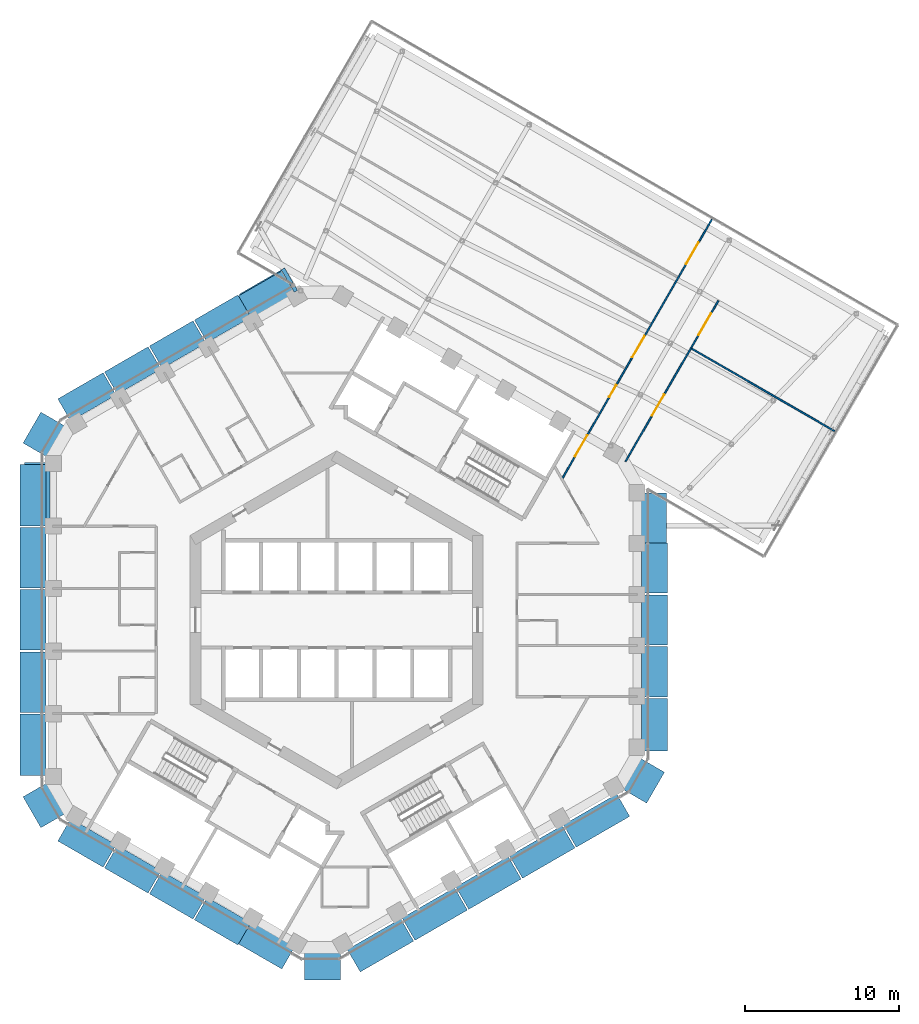
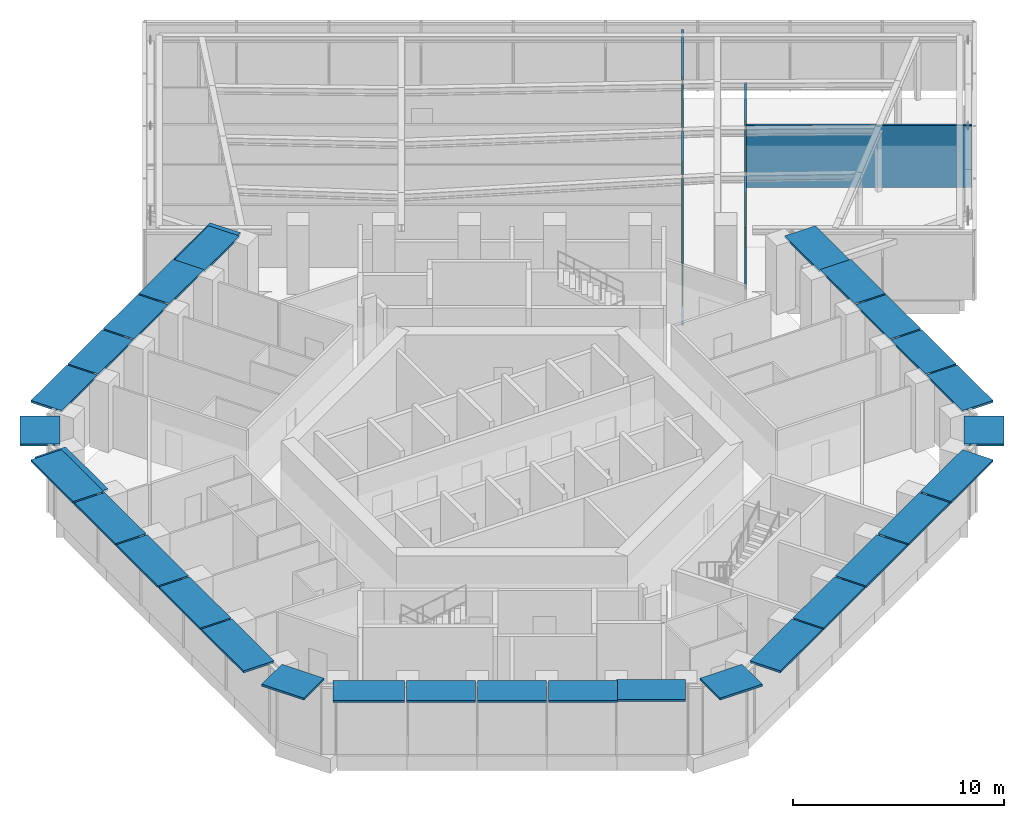
# One storey, part 22 of 28: 31 discrete accessories, 6 doors, 3 walls, 6 openings.
"""IFC4 building model written with IfcOpenShell, lengths in metres."""

from ifc_helpers import new_model, si_unit, direction, frame, frame_2d, origin, origin_2d, place, context, subcontext, project, spatial, polyline, rectangle, outline, extrude, material, layer, layer_set, type_object, element, fill, save


model = new_model("IFC4")

# Units and contexts
model_context = context("Model", 3, precision=1e-05, world=origin(), true_north=direction((0.0, 1.0)))
body_context = subcontext(model_context, "Body", "Model", "MODEL_VIEW")
ifc_project = project(units=[si_unit("LENGTHUNIT", "METRE"), si_unit("AREAUNIT", "SQUARE_METRE"), si_unit("VOLUMEUNIT", "CUBIC_METRE"), si_unit("PLANEANGLEUNIT", "RADIAN"), si_unit("MASSUNIT", "GRAM", prefix="KILO")], contexts=[model_context])

# Site, building, storey
site_placement = place(None, origin())
site = spatial("IfcSite", under=ifc_project, at=site_placement, CompositionType="ELEMENT")
building_placement = place(site_placement, origin())
building = spatial("IfcBuilding", under=site, at=building_placement, Name="Ayvan Gate Tower", CompositionType="ELEMENT")
storey_placement = place(building_placement, frame((0.0, 0.0, 143.89990234375)))
storey = spatial("IfcBuildingStorey", under=building, at=storey_placement, Name="L38", CompositionType="ELEMENT", Elevation=143.89990234375)

# Wall, openings, doors
ifc_material_1 = material(Name="Plasterboard on steel stud", Category="steel")
ifc_layer_1 = layer(ifc_material_1, 0.10009765625)
ifc_layer_set_1 = layer_set([ifc_layer_1], Name="Plasterboard on steel stud")
wall_type = type_object("IfcWallType", Name="WT-PART-100", PredefinedType="PARTITIONING", material=ifc_layer_set_1)
wall_1_placement = place(storey_placement, frame((14.651123046875, 9.19970703125, 0.0), z_axis=(0.0, 0.0, 1.0), x_axis=(0.500009799479, 0.866019745978, 0.0)))
wall_1 = element("IfcWall", 1, at=wall_1_placement, inside=storey, type_object=wall_type, Name="IW-L38-111", PredefinedType="PARTITIONING", context=body_context, shape_type="SweptSolid", body=[
    extrude(rectangle(XDim=19.3671875, YDim=0.10009765625, at=frame_2d((9.68359375, 0.0))), origin(), (0.0, 0.0, 1.0), 3.60009765625),
])
opening_1_placement = place(wall_1_placement, frame((16.036376953125, 0.0, 0.0)))
opening_1 = element("IfcOpeningElement", 2, at=opening_1_placement, cuts=wall_1, Name="Opening L38-D44", PredefinedType="OPENING", context=body_context, shape_type="SweptSolid", body=[
    extrude(rectangle(XDim=1.60009765625, YDim=2.10009765625, at=frame_2d((0.800048828125, 1.050048828125))), frame((0.0, 0.06005859375, 0.0), z_axis=(0.0, -1.0, 0.0), x_axis=(1.0, 0.0, 0.0)), (0.0, 0.0, 1.0), 0.1201171875),
])
opening_2_placement = place(wall_1_placement, frame((1.60986328125, 0.0, 0.0)))
opening_2 = element("IfcOpeningElement", 3, at=opening_2_placement, cuts=wall_1, Name="Opening L38-D45", PredefinedType="OPENING", context=body_context, shape_type="SweptSolid", body=[
    extrude(rectangle(XDim=1.60009765625, YDim=2.10009765625, at=frame_2d((0.800048828125, 1.050048828125))), frame((0.0, 0.06005859375, 0.0), z_axis=(0.0, -1.0, 0.0), x_axis=(1.0, 0.0, 0.0)), (0.0, 0.0, 1.0), 0.1201171875),
])
opening_3_placement = place(wall_1_placement, frame((6.0673828125, 0.0, 0.0)))
opening_3 = element("IfcOpeningElement", 4, at=opening_3_placement, cuts=wall_1, Name="Opening L38-D46", PredefinedType="OPENING", context=body_context, shape_type="SweptSolid", body=[
    extrude(rectangle(XDim=0.89990234375, YDim=2.10009765625, at=frame_2d((0.449951171875, 1.050048828125))), frame((0.0, 0.06005859375, 0.0), z_axis=(0.0, -1.0, 0.0), x_axis=(1.0, 0.0, 0.0)), (0.0, 0.0, 1.0), 0.1201171875),
])
opening_4_placement = place(wall_1_placement, frame((9.052734375, 0.0, 0.0)))
opening_4 = element("IfcOpeningElement", 5, at=opening_4_placement, cuts=wall_1, Name="Opening L38-D47", PredefinedType="OPENING", context=body_context, shape_type="SweptSolid", body=[
    extrude(rectangle(XDim=1.60009765625, YDim=2.10009765625, at=frame_2d((0.800048828125, 1.050048828125))), frame((0.0, 0.06005859375, 0.0), z_axis=(0.0, -1.0, 0.0), x_axis=(1.0, 0.0, 0.0)), (0.0, 0.0, 1.0), 0.1201171875),
])
ifc_material_2 = material(Name="Timber door leaf", Category="wood")
door_type_1 = type_object("IfcDoorType", Name="DT-1600", OperationType="NOTDEFINED", PredefinedType="DOOR", material=ifc_material_2)
door_1_placement = place(opening_1_placement, origin())
door_1 = element("IfcDoor", 6, at=door_1_placement, inside=storey, type_object=door_type_1, Name="ID-L38-044", OperationType="SINGLE_SWING_RIGHT", OverallHeight=2.10009765625, OverallWidth=1.60009765625, PredefinedType="DOOR", context=body_context, shape_type="SweptSolid", body=[
    extrude(rectangle(XDim=1.60009765625, YDim=2.10009765625, at=frame_2d((0.800048828125, 1.050048828125))), frame((0.0, 0.02490234375, 0.0), z_axis=(0.0, -1.0, 0.0), x_axis=(1.0, 0.0, 0.0)), (0.0, 0.0, 1.0), 0.050048828125),
])
fill(opening_1, door_1)
door_2_placement = place(opening_2_placement, origin())
door_2 = element("IfcDoor", 7, at=door_2_placement, inside=storey, type_object=door_type_1, Name="ID-L38-045", OperationType="SINGLE_SWING_LEFT", OverallHeight=2.10009765625, OverallWidth=1.60009765625, PredefinedType="DOOR", context=body_context, shape_type="SweptSolid", body=[
    extrude(rectangle(XDim=1.60009765625, YDim=2.10009765625, at=frame_2d((0.800048828125, 1.050048828125))), frame((0.0, 0.02490234375, 0.0), z_axis=(0.0, -1.0, 0.0), x_axis=(1.0, 0.0, 0.0)), (0.0, 0.0, 1.0), 0.050048828125),
])
fill(opening_2, door_2)
door_3_placement = place(opening_4_placement, origin())
door_3 = element("IfcDoor", 8, at=door_3_placement, inside=storey, type_object=door_type_1, Name="ID-L38-047", OperationType="SINGLE_SWING_LEFT", OverallHeight=2.10009765625, OverallWidth=1.60009765625, PredefinedType="DOOR", context=body_context, shape_type="SweptSolid", body=[
    extrude(rectangle(XDim=1.60009765625, YDim=2.10009765625, at=frame_2d((0.800048828125, 1.050048828125))), frame((0.0, 0.02490234375, 0.0), z_axis=(0.0, -1.0, 0.0), x_axis=(1.0, 0.0, 0.0)), (0.0, 0.0, 1.0), 0.050048828125),
])
fill(opening_4, door_3)
door_type_2 = type_object("IfcDoorType", Name="DT-900", OperationType="NOTDEFINED", PredefinedType="DOOR", material=ifc_material_2)
door_4_placement = place(opening_3_placement, origin())
door_4 = element("IfcDoor", 9, at=door_4_placement, inside=storey, type_object=door_type_2, Name="ID-L38-046", OperationType="SINGLE_SWING_RIGHT", OverallHeight=2.10009765625, OverallWidth=0.89990234375, PredefinedType="DOOR", context=body_context, shape_type="SweptSolid", body=[
    extrude(rectangle(XDim=0.89990234375, YDim=2.10009765625, at=frame_2d((0.449951171875, 1.050048828125))), frame((0.0, 0.02490234375, 0.0), z_axis=(0.0, -1.0, 0.0), x_axis=(1.0, 0.0, 0.0)), (0.0, 0.0, 1.0), 0.050048828125),
])
fill(opening_3, door_4)

# Wall
wall_2_placement = place(storey_placement, frame((23.025390625, 17.60400390625, 0.0), z_axis=(0.0, 0.0, 1.0), x_axis=(0.866024593443, -0.500001403549, 0.0)))
element("IfcWall", 10, at=wall_2_placement, inside=storey, type_object=wall_type, Name="IW-L38-116", PredefinedType="PARTITIONING", context=body_context, shape_type="SweptSolid", body=[
    extrude(rectangle(XDim=10.70751953125, YDim=0.10009765625, at=frame_2d((5.353759765625, 0.0))), origin(), (0.0, 0.0, 1.0), 3.60009765625),
])

# Wall, openings, doors
wall_3_placement = place(storey_placement, frame((18.739990234375, 10.28173828125, 0.0), z_axis=(0.0, 0.0, 1.0), x_axis=(0.50000797982, 0.866020796584, 0.0)))
wall_3 = element("IfcWall", 11, at=wall_3_placement, inside=storey, type_object=wall_type, Name="IW-L38-117", PredefinedType="PARTITIONING", context=body_context, shape_type="SweptSolid", body=[
    extrude(rectangle(XDim=12.039794921875, YDim=0.10009765625, at=frame_2d((6.02001953125, 0.0))), origin(), (0.0, 0.0, 1.0), 3.60009765625),
])
opening_5_placement = place(wall_3_placement, frame((3.427001953125, 0.0, 0.0)))
opening_5 = element("IfcOpeningElement", 12, at=opening_5_placement, cuts=wall_3, Name="Opening L38-D49", PredefinedType="OPENING", context=body_context, shape_type="SweptSolid", body=[
    extrude(rectangle(XDim=1.60009765625, YDim=2.10009765625, at=frame_2d((0.800048828125, 1.050048828125))), frame((0.0, 0.06005859375, 0.0), z_axis=(0.0, -1.0, 0.0), x_axis=(1.0, 0.0, 0.0)), (0.0, 0.0, 1.0), 0.1201171875),
])
opening_6_placement = place(wall_3_placement, frame((9.476806640625, 0.0, 0.0)))
opening_6 = element("IfcOpeningElement", 13, at=opening_6_placement, cuts=wall_3, Name="Opening L38-D50", PredefinedType="OPENING", context=body_context, shape_type="SweptSolid", body=[
    extrude(rectangle(XDim=1.60009765625, YDim=2.10009765625, at=frame_2d((0.800048828125, 1.050048828125))), frame((0.0, 0.06005859375, 0.0), z_axis=(0.0, -1.0, 0.0), x_axis=(1.0, 0.0, 0.0)), (0.0, 0.0, 1.0), 0.1201171875),
])
door_5_placement = place(opening_5_placement, origin())
door_5 = element("IfcDoor", 14, at=door_5_placement, inside=storey, type_object=door_type_1, Name="ID-L38-049", OperationType="SINGLE_SWING_LEFT", OverallHeight=2.10009765625, OverallWidth=1.60009765625, PredefinedType="DOOR", context=body_context, shape_type="SweptSolid", body=[
    extrude(rectangle(XDim=1.60009765625, YDim=2.10009765625, at=frame_2d((0.800048828125, 1.050048828125))), frame((0.0, 0.02490234375, 0.0), z_axis=(0.0, -1.0, 0.0), x_axis=(1.0, 0.0, 0.0)), (0.0, 0.0, 1.0), 0.050048828125),
])
fill(opening_5, door_5)
door_6_placement = place(opening_6_placement, origin())
door_6 = element("IfcDoor", 15, at=door_6_placement, inside=storey, type_object=door_type_1, Name="ID-L38-050", OperationType="SINGLE_SWING_RIGHT", OverallHeight=2.10009765625, OverallWidth=1.60009765625, PredefinedType="DOOR", context=body_context, shape_type="SweptSolid", body=[
    extrude(rectangle(XDim=1.60009765625, YDim=2.10009765625, at=frame_2d((0.800048828125, 1.050048828125))), frame((0.0, 0.02490234375, 0.0), z_axis=(0.0, -1.0, 0.0), x_axis=(1.0, 0.0, 0.0)), (0.0, 0.0, 1.0), 0.050048828125),
])
fill(opening_6, door_6)

# Discrete accessories
ifc_material_3 = material(Name="Stainless steel 316", Category="steel")
ifc_layer_2 = layer(ifc_material_3, 0.1201171875)
ifc_layer_set_2 = layer_set([ifc_layer_2], Name="Stainless steel 316")
discrete_accessory_type = type_object("IfcDiscreteAccessoryType", Name="Fin carrier bracket", PredefinedType="BRACKET", material=ifc_layer_set_2)
discrete_accessory_1_placement = place(storey_placement, frame((-19.702392578125, -8.092041015625, 3.880126953125), z_axis=(0.0, 0.0, 1.0), x_axis=(0.0, -1.0, 0.0)))
element("IfcDiscreteAccessory", 16, at=discrete_accessory_1_placement, inside=storey, type_object=discrete_accessory_type, Name="Fin carrier 64", PredefinedType="BRACKET", context=body_context, shape_type="SweptSolid", body=[
    extrude(rectangle(XDim=4.00048828125, YDim=1.677001953125, at=origin_2d()), origin(), (0.0, 0.0, 1.0), 0.1201171875),
])
for number, where, z_axis, x_axis, name in (
    (17, (-19.702392578125, -4.02783203125, 3.880126953125), (0.0, 0.0, 1.0), (0.0, -1.0, 0.0), "Fin carrier 69"),
    (18, (-19.702392578125, 0.000244140625, 3.880126953125), (0.0, 0.0, 1.0), (0.0, -1.0, 0.0), "Fin carrier 74"),
    (19, (-19.702392578125, 4.0283203125, 3.880126953125), (0.0, 0.0, 1.0), (0.0, -1.0, 0.0), "Fin carrier 79"),
):
    element("IfcDiscreteAccessory", number, at=place(storey_placement, frame(where, z_axis=z_axis, x_axis=x_axis)), inside=storey, type_object=discrete_accessory_type, Name=name, PredefinedType="BRACKET", context=body_context, shape_type="SweptSolid", body=[
        extrude(rectangle(XDim=3.927978515625, YDim=1.677001953125, at=origin_2d()), origin(), (0.0, 0.0, 1.0), 0.1201171875),
    ])
discrete_accessory_2_placement = place(storey_placement, frame((-19.702392578125, 8.09228515625, 3.880126953125), z_axis=(0.0, 0.0, 1.0), x_axis=(0.0, -1.0, 0.0)))
element("IfcDiscreteAccessory", 20, at=discrete_accessory_2_placement, inside=storey, type_object=discrete_accessory_type, Name="Fin carrier 84", PredefinedType="BRACKET", context=body_context, shape_type="SweptSolid", body=[
    extrude(rectangle(XDim=4.0, YDim=1.677001953125, at=origin_2d()), origin(), (0.0, 0.0, 1.0), 0.1201171875),
])
for number, where, z_axis, x_axis, name in (
    (21, (-18.93994140625, -11.999267578125, 3.880126953125), (0.0, 0.0, 1.0), (0.5, -0.866025403784, 0.0), "Fin carrier 99"),
    (22, (-18.93994140625, 11.999267578125, 3.880126953125), (0.0, 0.0, 1.0), (-0.5, -0.866025403784, 0.0), "Fin carrier 123"),
):
    element("IfcDiscreteAccessory", number, at=place(storey_placement, frame(where, z_axis=z_axis, x_axis=x_axis)), inside=storey, type_object=discrete_accessory_type, Name=name, PredefinedType="BRACKET", context=body_context, shape_type="SweptSolid", body=[
        extrude(rectangle(XDim=2.314453125, YDim=1.908203125, at=origin_2d()), origin(), (0.0, 0.0, 1.0), 0.1201171875),
    ])
discrete_accessory_3_placement = place(storey_placement, frame((-16.1982421875, -14.46240234375, 3.880126953125), z_axis=(0.0, 0.0, 1.0), x_axis=(0.866025403784, -0.5, 0.0)))
element("IfcDiscreteAccessory", 23, at=discrete_accessory_3_placement, inside=storey, type_object=discrete_accessory_type, Name="Fin carrier 213", PredefinedType="BRACKET", context=body_context, shape_type="SweptSolid", body=[
    extrude(rectangle(XDim=3.39794921875, YDim=1.677001953125, at=origin_2d()), origin(), (0.0, 0.0, 1.0), 0.1201171875),
])
discrete_accessory_4_placement = place(storey_placement, frame((-16.198486328125, 14.46240234375, 3.880126953125), z_axis=(0.0, 0.0, 1.0), x_axis=(-0.866025403784, -0.5, 0.0)))
element("IfcDiscreteAccessory", 24, at=discrete_accessory_4_placement, inside=storey, type_object=discrete_accessory_type, Name="Fin carrier 218", PredefinedType="BRACKET", context=body_context, shape_type="SweptSolid", body=[
    extrude(rectangle(XDim=3.397705078125, YDim=1.677001953125, at=origin_2d()), origin(), (0.0, 0.0, 1.0), 0.1201171875),
])
for number, where, z_axis, x_axis, name in (
    (25, (-13.2265625, -16.17822265625, 3.880126953125), (0.0, 0.0, 1.0), (0.866025403784, -0.5, 0.0), "Fin carrier 270"),
    (26, (-13.226806640625, 16.17822265625, 3.880126953125), (0.0, 0.0, 1.0), (-0.866025403784, -0.5, 0.0), "Fin carrier 280"),
):
    element("IfcDiscreteAccessory", number, at=place(storey_placement, frame(where, z_axis=z_axis, x_axis=x_axis)), inside=storey, type_object=discrete_accessory_type, Name=name, PredefinedType="BRACKET", context=body_context, shape_type="SweptSolid", body=[
        extrude(rectangle(XDim=3.264892578125, YDim=1.677001953125, at=origin_2d()), origin(), (0.0, 0.0, 1.0), 0.1201171875),
    ])
for number, where, z_axis, x_axis, name in (
    (27, (-10.31201171875, -17.861083984375, 3.880126953125), (0.0, 0.0, 1.0), (0.866025403784, -0.5, 0.0), "Fin carrier 334"),
    (28, (-10.31201171875, 17.86083984375, 3.880126953125), (0.0, 0.0, 1.0), (-0.866025403784, -0.5, 0.0), "Fin carrier 342"),
):
    element("IfcDiscreteAccessory", number, at=place(storey_placement, frame(where, z_axis=z_axis, x_axis=x_axis)), inside=storey, type_object=discrete_accessory_type, Name=name, PredefinedType="BRACKET", context=body_context, shape_type="SweptSolid", body=[
        extrude(rectangle(XDim=3.26611328125, YDim=1.677001953125, at=origin_2d()), origin(), (0.0, 0.0, 1.0), 0.1201171875),
    ])
for number, where, z_axis, x_axis, name in (
    (29, (-7.3974609375, -19.543701171875, 3.880126953125), (0.0, 0.0, 1.0), (0.866025403784, -0.5, 0.0), "Fin carrier 395"),
    (30, (-7.3974609375, 19.543701171875, 3.880126953125), (0.0, 0.0, 1.0), (-0.866025403784, -0.5, 0.0), "Fin carrier 405"),
):
    element("IfcDiscreteAccessory", number, at=place(storey_placement, frame(where, z_axis=z_axis, x_axis=x_axis)), inside=storey, type_object=discrete_accessory_type, Name=name, PredefinedType="BRACKET", context=body_context, shape_type="SweptSolid", body=[
        extrude(rectangle(XDim=3.264892578125, YDim=1.677001953125, at=origin_2d()), origin(), (0.0, 0.0, 1.0), 0.1201171875),
    ])
discrete_accessory_5_placement = place(storey_placement, frame((-4.561279296875, -21.094482421875, 3.880126953125), z_axis=(0.0, 0.0, 1.0), x_axis=(0.866025403784, -0.5, 0.0)))
element("IfcDiscreteAccessory", 31, at=discrete_accessory_5_placement, inside=storey, type_object=discrete_accessory_type, Name="Fin carrier 440", PredefinedType="BRACKET", context=body_context, shape_type="SweptSolid", body=[
    extrude(rectangle(XDim=3.29443359375, YDim=1.677001953125, at=origin_2d()), origin(), (0.0, 0.0, 1.0), 0.1201171875),
])
discrete_accessory_6_placement = place(storey_placement, frame((-4.561279296875, 21.094482421875, 3.880126953125), z_axis=(0.0, 0.0, 1.0), x_axis=(-0.866025403784, -0.5, 0.0)))
element("IfcDiscreteAccessory", 32, at=discrete_accessory_6_placement, inside=storey, type_object=discrete_accessory_type, Name="Fin carrier 441", PredefinedType="BRACKET", context=body_context, shape_type="SweptSolid", body=[
    extrude(rectangle(XDim=3.2939453125, YDim=1.677001953125, at=origin_2d()), origin(), (0.0, 0.0, 1.0), 0.1201171875),
])
discrete_accessory_7_placement = place(storey_placement, frame((-0.921630859375, -22.402099609375, 3.880126953125), z_axis=(0.0, 0.0, 1.0), x_axis=(1.0, 0.0, 0.0)))
element("IfcDiscreteAccessory", 33, at=discrete_accessory_7_placement, inside=storey, type_object=discrete_accessory_type, Name="Fin carrier 503", PredefinedType="BRACKET", context=body_context, shape_type="SweptSolid", body=[
    extrude(rectangle(XDim=2.314453125, YDim=1.908203125, at=origin_2d()), origin(), (0.0, 0.0, 1.0), 0.1201171875),
])
discrete_accessory_8_placement = place(storey_placement, frame((2.84326171875, -21.10888671875, 3.880126953125), z_axis=(0.0, 0.0, 1.0), x_axis=(0.866025403784, 0.5, 0.0)))
element("IfcDiscreteAccessory", 34, at=discrete_accessory_8_placement, inside=storey, type_object=discrete_accessory_type, Name="Fin carrier 561", PredefinedType="BRACKET", context=body_context, shape_type="SweptSolid", body=[
    extrude(rectangle(XDim=4.0, YDim=1.677001953125, at=origin_2d()), origin(), (0.0, 0.0, 1.0), 0.1201171875),
])
for number, where, z_axis, x_axis, name in (
    (35, (6.36279296875, -19.076904296875, 3.880126953125), (0.0, 0.0, 1.0), (0.866025403784, 0.5, 0.0), "Fin carrier 623"),
    (36, (9.85107421875, -17.06298828125, 3.880126953125), (0.0, 0.0, 1.0), (0.866025403784, 0.5, 0.0), "Fin carrier 695"),
    (37, (13.33935546875, -15.048828125, 3.880126953125), (0.0, 0.0, 1.0), (0.866025403784, 0.5, 0.0), "Fin carrier 761"),
):
    element("IfcDiscreteAccessory", number, at=place(storey_placement, frame(where, z_axis=z_axis, x_axis=x_axis)), inside=storey, type_object=discrete_accessory_type, Name=name, PredefinedType="BRACKET", context=body_context, shape_type="SweptSolid", body=[
        extrude(rectangle(XDim=3.927978515625, YDim=1.677001953125, at=origin_2d()), origin(), (0.0, 0.0, 1.0), 0.1201171875),
    ])
discrete_accessory_9_placement = place(storey_placement, frame((16.859130859375, -13.016845703125, 3.880126953125), z_axis=(0.0, 0.0, 1.0), x_axis=(0.866025403784, 0.5, 0.0)))
element("IfcDiscreteAccessory", 38, at=discrete_accessory_9_placement, inside=storey, type_object=discrete_accessory_type, Name="Fin carrier 824", PredefinedType="BRACKET", context=body_context, shape_type="SweptSolid", body=[
    extrude(rectangle(XDim=4.00048828125, YDim=1.677001953125, at=origin_2d()), origin(), (0.0, 0.0, 1.0), 0.1201171875),
])
discrete_accessory_10_placement = place(storey_placement, frame((19.861572265625, -10.40283203125, 3.880126953125), z_axis=(0.0, 0.0, 1.0), x_axis=(0.5, 0.866025403784, 0.0)))
element("IfcDiscreteAccessory", 39, at=discrete_accessory_10_placement, inside=storey, type_object=discrete_accessory_type, Name="Fin carrier 954", PredefinedType="BRACKET", context=body_context, shape_type="SweptSolid", body=[
    extrude(rectangle(XDim=2.314453125, YDim=1.908203125, at=origin_2d()), origin(), (0.0, 0.0, 1.0), 0.1201171875),
])
discrete_accessory_11_placement = place(storey_placement, frame((20.6240234375, -6.796875, 3.880126953125), z_axis=(0.0, 0.0, 1.0), x_axis=(0.0, 1.0, 0.0)))
element("IfcDiscreteAccessory", 40, at=discrete_accessory_11_placement, inside=storey, type_object=discrete_accessory_type, Name="Fin carrier 964", PredefinedType="BRACKET", context=body_context, shape_type="SweptSolid", body=[
    extrude(rectangle(XDim=3.39794921875, YDim=1.677001953125, at=origin_2d()), origin(), (0.0, 0.0, 1.0), 0.1201171875),
])
discrete_accessory_12_placement = place(storey_placement, frame((20.6240234375, -3.365478515625, 3.880126953125), z_axis=(0.0, 0.0, 1.0), x_axis=(0.0, 1.0, 0.0)))
element("IfcDiscreteAccessory", 41, at=discrete_accessory_12_placement, inside=storey, type_object=discrete_accessory_type, Name="Fin carrier 970", PredefinedType="BRACKET", context=body_context, shape_type="SweptSolid", body=[
    extrude(rectangle(XDim=3.264892578125, YDim=1.677001953125, at=origin_2d()), origin(), (0.0, 0.0, 1.0), 0.1201171875),
])
discrete_accessory_13_placement = place(storey_placement, frame((20.6240234375, 0.0, 3.880126953125), z_axis=(0.0, 0.0, 1.0), x_axis=(0.0, 1.0, 0.0)))
element("IfcDiscreteAccessory", 42, at=discrete_accessory_13_placement, inside=storey, type_object=discrete_accessory_type, Name="Fin carrier 976", PredefinedType="BRACKET", context=body_context, shape_type="SweptSolid", body=[
    extrude(rectangle(XDim=3.26611328125, YDim=1.677001953125, at=origin_2d()), origin(), (0.0, 0.0, 1.0), 0.1201171875),
])
discrete_accessory_14_placement = place(storey_placement, frame((20.6240234375, 3.365478515625, 3.880126953125), z_axis=(0.0, 0.0, 1.0), x_axis=(0.0, 1.0, 0.0)))
element("IfcDiscreteAccessory", 43, at=discrete_accessory_14_placement, inside=storey, type_object=discrete_accessory_type, Name="Fin carrier 981", PredefinedType="BRACKET", context=body_context, shape_type="SweptSolid", body=[
    extrude(rectangle(XDim=3.264892578125, YDim=1.677001953125, at=origin_2d()), origin(), (0.0, 0.0, 1.0), 0.1201171875),
])
discrete_accessory_15_placement = place(storey_placement, frame((20.549072265625, 6.596923828125, 3.880126953125), z_axis=(0.0, 0.0, 1.0), x_axis=(0.0, 1.0, 0.0)))
element("IfcDiscreteAccessory", 44, at=discrete_accessory_15_placement, inside=storey, type_object=discrete_accessory_type, Name="Fin carrier 983", PredefinedType="BRACKET", context=body_context, shape_type="SweptSolid", body=[
    extrude(rectangle(XDim=3.29443359375, YDim=1.677001953125, at=origin_2d()), origin(), (0.0, 0.0, 1.0), 0.1201171875),
])
discrete_accessory_16_placement = place(storey_placement, frame((0.0, 0.0, 3.880126953125)))
element("IfcDiscreteAccessory", 45, at=discrete_accessory_16_placement, inside=storey, type_object=discrete_accessory_type, Name="Fin carrier 1138", PredefinedType="BRACKET", context=body_context, shape_type="SweptSolid", body=[
    extrude(outline(polyline([(-6.31640625, 21.135986328125), (-3.37353515625, 22.835205078125), (-2.53515625, 21.3828125), (-2.753173828125, 21.2568359375), (-3.55419921875, 22.644287109375), (-6.27880859375, 21.071044921875), (-6.31640625, 21.135986328125)])), origin(), (0.0, 0.0, 1.0), 0.119873046875),
])
discrete_accessory_17_placement = place(storey_placement, frame((0.0, 0.0, 3.880126953125)))
element("IfcDiscreteAccessory", 46, at=discrete_accessory_17_placement, inside=storey, type_object=discrete_accessory_type, Name="Fin carrier 1139", PredefinedType="BRACKET", context=body_context, shape_type="SweptSolid", body=[
    extrude(outline(polyline([(-20.256591796875, 10.203369140625), (-18.57958984375, 10.203369140625), (-18.57958984375, 6.166259765625), (-18.864013671875, 6.166259765625), (-18.864013671875, 10.09228515625), (-20.256591796875, 10.09228515625), (-20.256591796875, 10.203369140625)])), origin(), (0.0, 0.0, 1.0), 0.119873046875),
])

save(model, "model.ifc")
